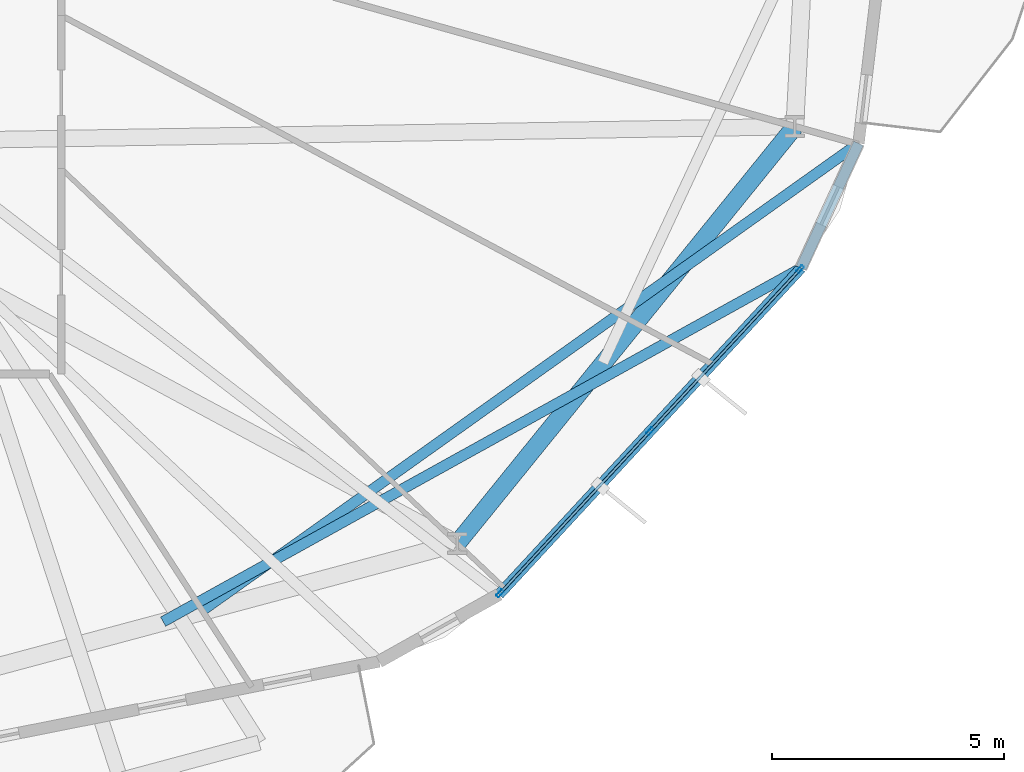
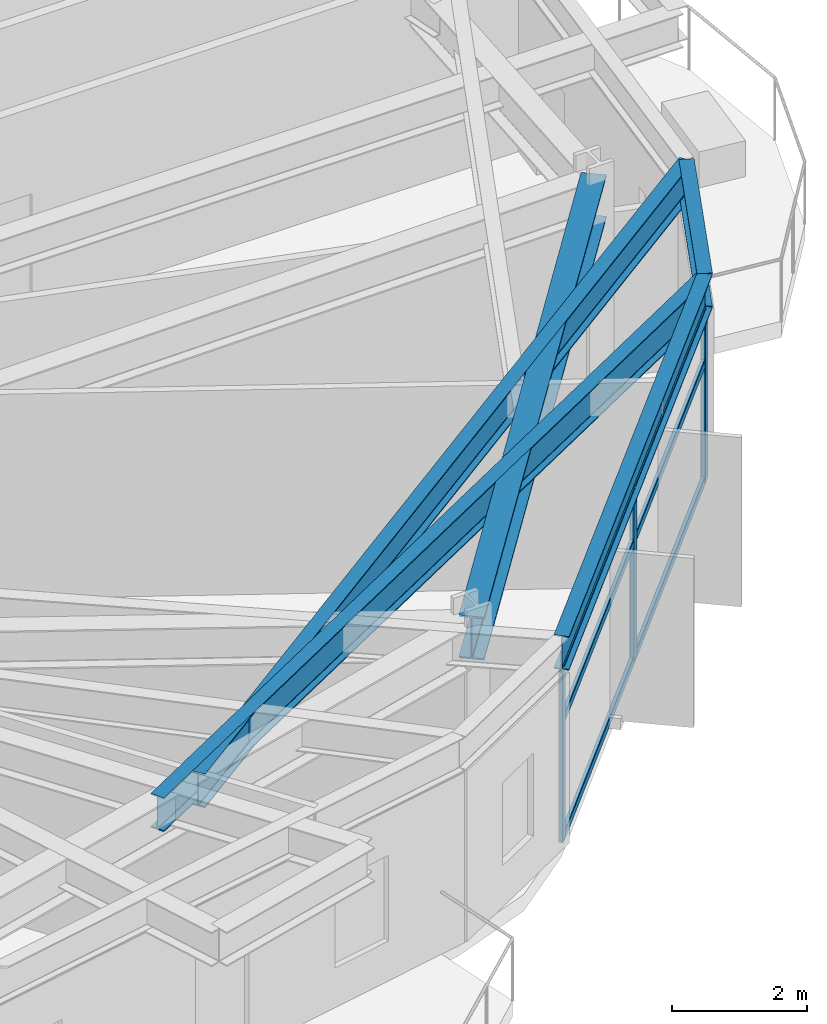
# One storey, part 9 of 22: 9 members, 5 beams, 1 element without a shape of its own.
"""IFC4 building model written with IfcOpenShell, lengths in metres."""

from ifc_helpers import new_model, si_unit, direction, frame, origin, origin_2d, place, context, subcontext, project, spatial, hollow_rectangle, i_section, extrude, material, layer, layer_set, material_profile, profile_set, type_object, element, aggregate, save


model = new_model("IFC4")

# Units and contexts
model_context = context("Model", 3, precision=1e-05, world=origin(), true_north=direction((0.0, 1.0)))
body_context = subcontext(model_context, "Body", "Model", "MODEL_VIEW")
ifc_project = project(units=[si_unit("LENGTHUNIT", "METRE"), si_unit("AREAUNIT", "SQUARE_METRE"), si_unit("VOLUMEUNIT", "CUBIC_METRE"), si_unit("PLANEANGLEUNIT", "RADIAN"), si_unit("MASSUNIT", "GRAM", prefix="KILO")], contexts=[model_context])

# Site, building, storey
site_placement = place(None, origin())
site = spatial("IfcSite", under=ifc_project, at=site_placement, CompositionType="ELEMENT")
building_placement = place(site_placement, origin())
building = spatial("IfcBuilding", under=site, at=building_placement, Name="Soratama Intermodal Tower", CompositionType="ELEMENT")
storey_placement = place(building_placement, frame((0.0, 0.0, 70.60009765625)))
storey = spatial("IfcBuildingStorey", under=building, at=storey_placement, Name="L16", CompositionType="ELEMENT", Elevation=70.60009765625)

# Beams
ifc_material_1 = material(Name="Structural steel ASTM A992 Grade 50", Category="steel")
ifc_material_profile_1 = material_profile(ifc_material_1, i_section(OverallWidth=0.382080078125, OverallDepth=0.779052734375, WebThickness=0.01806640625, FlangeThickness=0.030029296875, FilletRadius=0.01806640625, at=origin_2d()), Name="W30X191")
ifc_profile_set_1 = profile_set([ifc_material_profile_1], Name="Structural steel ASTM A992 Grade 50")
beam_type_1 = type_object("IfcBeamType", Name="BM-RING-W30X191", PredefinedType="BEAM", material=ifc_profile_set_1)
beam_1_placement = place(storey_placement, frame((55.196044921875, 9.300048828125, 3.310302734375), z_axis=(0.629334198857, 0.777134779912, 0.0), x_axis=(-0.777134779912, 0.629334198857, 0.0)))
element("IfcBeam", 1, at=beam_1_placement, inside=storey, type_object=beam_type_1, Name="BM-L16-RING-09", PredefinedType="BEAM", context=body_context, shape_type="SweptSolid", body=[
    extrude(i_section(OverallWidth=0.382080078125, OverallDepth=0.779052734375, WebThickness=0.01806640625, FlangeThickness=0.030029296875, FilletRadius=0.01806640625, at=origin_2d()), origin(), (0.0, 0.0, 1.0), 11.5693359375),
])
ifc_material_2 = material(Name="Structural steel ASTM A992 Grade 50", Category="steel")
ifc_material_profile_2 = material_profile(ifc_material_2, i_section(OverallWidth=0.22900390625, OverallDepth=0.612060546875, WebThickness=0.011962890625, FlangeThickness=0.01953125, FilletRadius=0.012939453125, at=origin_2d()), Name="W24X84")
ifc_profile_set_2 = profile_set([ifc_material_profile_2], Name="Structural steel ASTM A992 Grade 50")
beam_type_2 = type_object("IfcBeamType", Name="BM-SPN-W24X84", PredefinedType="SPANDREL", material=ifc_profile_set_2)
beam_2_placement = place(storey_placement, frame((56.097900390625, 8.197998046875, 3.393798828125), z_axis=(0.679207978235, 0.733945857882, 0.0), x_axis=(-0.733945857882, 0.679207978235, 0.0)))
element("IfcBeam", 2, at=beam_2_placement, inside=storey, type_object=beam_type_2, Name="BS-L16-F09", PredefinedType="SPANDREL", context=body_context, shape_type="SweptSolid", body=[
    extrude(i_section(OverallWidth=0.22900390625, OverallDepth=0.612060546875, WebThickness=0.011962890625, FlangeThickness=0.01953125, FilletRadius=0.012939453125, at=origin_2d()), origin(), (0.0, 0.0, 1.0), 9.58935546875),
])
beam_3_placement = place(storey_placement, frame((62.611083984375, 15.236083984375, 3.393798828125), z_axis=(0.418948585547, 0.908009957362, 0.0), x_axis=(-0.908009957362, 0.418948585547, 0.0)))
element("IfcBeam", 3, at=beam_3_placement, inside=storey, type_object=beam_type_2, Name="BS-L16-CRN09", PredefinedType="SPANDREL", context=body_context, shape_type="SweptSolid", body=[
    extrude(i_section(OverallWidth=0.22900390625, OverallDepth=0.612060546875, WebThickness=0.011962890625, FlangeThickness=0.01953125, FilletRadius=0.012939453125, at=origin_2d()), origin(), (0.0, 0.0, 1.0), 2.966796875),
])
ifc_material_3 = material(Name="Structural steel ASTM A992 Grade 50", Category="steel")
ifc_material_profile_3 = material_profile(ifc_material_3, i_section(OverallWidth=0.22900390625, OverallDepth=0.612060546875, WebThickness=0.011962890625, FlangeThickness=0.01953125, FilletRadius=0.012939453125, at=origin_2d()), Name="W24X84")
ifc_profile_set_3 = profile_set([ifc_material_profile_3], Name="Structural steel ASTM A992 Grade 50")
beam_type_3 = type_object("IfcBeamType", Name="BM-TIE-W24X84", PredefinedType="BEAM", material=ifc_profile_set_3)
beam_4_placement = place(storey_placement, frame((48.84912109375, 7.610107421875, 3.393798828125), z_axis=(0.874684488445, 0.484692733259, 0.0), x_axis=(-0.484692733259, 0.874684488445, 0.0)))
element("IfcBeam", 4, at=beam_4_placement, inside=storey, type_object=beam_type_3, Name="BM-L16-TIE1-09", PredefinedType="BEAM", context=body_context, shape_type="SweptSolid", body=[
    extrude(i_section(OverallWidth=0.22900390625, OverallDepth=0.612060546875, WebThickness=0.011962890625, FlangeThickness=0.01953125, FilletRadius=0.012939453125, at=origin_2d()), origin(), (0.0, 0.0, 1.0), 15.733642578125),
])
beam_5_placement = place(storey_placement, frame((49.672119140625, 7.833984375, 3.393798828125), z_axis=(0.814655393418, 0.579945333609, 0.0), x_axis=(-0.579945333609, 0.814655393418, 0.0)))
element("IfcBeam", 5, at=beam_5_placement, inside=storey, type_object=beam_type_3, Name="BM-L16-TIE0-10", PredefinedType="BEAM", context=body_context, shape_type="SweptSolid", body=[
    extrude(i_section(OverallWidth=0.22900390625, OverallDepth=0.612060546875, WebThickness=0.011962890625, FlangeThickness=0.01953125, FilletRadius=0.012939453125, at=origin_2d()), origin(), (0.0, 0.0, 1.0), 17.408447265625),
])

# Curtain wall, members
ifc_material_4 = material(Name="Double-glazed aluminium curtain wall", Category="aluminium")
ifc_layer = layer(ifc_material_4, 0.159912109375)
ifc_layer_set = layer_set([ifc_layer], Name="Double-glazed aluminium curtain wall")
curtain_wall_type = type_object("IfcCurtainWallType", Name="CW-SYS-2", PredefinedType="NOTDEFINED", material=ifc_layer_set)
curtain_wall_placement = place(storey_placement, origin())
curtain_wall = element("IfcCurtainWall", 6, at=curtain_wall_placement, inside=storey, type_object=curtain_wall_type, Name="L16 Faceted Curtain Wall F09", PredefinedType="NOTDEFINED")
ifc_material_5 = material(Name="Anodised aluminium AA 6063-T6", Category="aluminium")
ifc_material_profile_4 = material_profile(ifc_material_5, hollow_rectangle(XDim=0.074951171875, YDim=0.179931640625, WallThickness=0.006103515625, InnerFilletRadius=0.006103515625, OuterFilletRadius=0.011962890625, at=origin_2d()), Name="CWM180X75X6")
ifc_profile_set_4 = profile_set([ifc_material_profile_4], Name="Anodised aluminium AA 6063-T6")
member_type_1 = type_object("IfcMemberType", Name="MT-CWM-2", PredefinedType="MULLION", material=ifc_profile_set_4)
member_1_placement = place(storey_placement, frame((56.117919921875, 8.219970703125, 0.0), z_axis=(0.0, 0.0, 1.0), x_axis=(-0.733964923703, 0.679187375305, 0.0)))
member_1 = element("IfcMember", 7, at=member_1_placement, type_object=member_type_1, Name="CW-2 mullion 1", PredefinedType="MULLION", context=body_context, shape_type="SweptSolid", body=[
    extrude(hollow_rectangle(XDim=0.074951171875, YDim=0.179931640625, WallThickness=0.006103515625, InnerFilletRadius=0.006103515625, OuterFilletRadius=0.011962890625, at=origin_2d()), origin(), (0.0, 0.0, 1.0), 3.078857421875),
])
member_2_placement = place(storey_placement, frame((59.354248046875, 11.717041015625, 0.0), z_axis=(0.0, 0.0, 1.0), x_axis=(-0.733964923703, 0.679187375305, 0.0)))
member_2 = element("IfcMember", 8, at=member_2_placement, type_object=member_type_1, Name="CW-2 mullion 2", PredefinedType="MULLION", context=body_context, shape_type="SweptSolid", body=[
    extrude(hollow_rectangle(XDim=0.074951171875, YDim=0.179931640625, WallThickness=0.006103515625, InnerFilletRadius=0.006103515625, OuterFilletRadius=0.011962890625, at=origin_2d()), origin(), (0.0, 0.0, 1.0), 3.078857421875),
])
member_3_placement = place(storey_placement, frame((62.59033203125, 15.21435546875, 0.0), z_axis=(0.0, 0.0, 1.0), x_axis=(-0.733964923703, 0.679187375305, 0.0)))
member_3 = element("IfcMember", 9, at=member_3_placement, type_object=member_type_1, Name="CW-2 mullion 3", PredefinedType="MULLION", context=body_context, shape_type="SweptSolid", body=[
    extrude(hollow_rectangle(XDim=0.074951171875, YDim=0.179931640625, WallThickness=0.006103515625, InnerFilletRadius=0.006103515625, OuterFilletRadius=0.011962890625, at=origin_2d()), origin(), (0.0, 0.0, 1.0), 3.078857421875),
])
ifc_material_6 = material(Name="Anodised aluminium AA 6063-T6", Category="aluminium")
ifc_material_profile_5 = material_profile(ifc_material_6, hollow_rectangle(XDim=0.06494140625, YDim=0.14990234375, WallThickness=0.0048828125, InnerFilletRadius=0.0048828125, OuterFilletRadius=0.010009765625, at=origin_2d()), Name="CWT150X65X5")
ifc_profile_set_5 = profile_set([ifc_material_profile_5], Name="Anodised aluminium AA 6063-T6")
member_type_2 = type_object("IfcMemberType", Name="TT-CWT-1", PredefinedType="USERDEFINED", material=ifc_profile_set_5)
member_4_placement = place(storey_placement, frame((56.138427734375, 8.241943359375, 0.02978515625), z_axis=(0.679176203544, 0.733975261531, 0.0), x_axis=(-0.733975261531, 0.679176203544, 0.0)))
member_4 = element("IfcMember", 10, at=member_4_placement, type_object=member_type_2, Name="CW-2 transom 1.1", ObjectType="TRANSOM", PredefinedType="USERDEFINED", context=body_context, shape_type="SweptSolid", body=[
    extrude(hollow_rectangle(XDim=0.06494140625, YDim=0.14990234375, WallThickness=0.0048828125, InnerFilletRadius=0.0048828125, OuterFilletRadius=0.010009765625, at=origin_2d()), origin(), (0.0, 0.0, 1.0), 4.70458984375),
])
member_5_placement = place(storey_placement, frame((56.138427734375, 8.241943359375, 2.14990234375), z_axis=(0.679176203544, 0.733975261531, 0.0), x_axis=(-0.733975261531, 0.679176203544, 0.0)))
member_5 = element("IfcMember", 11, at=member_5_placement, type_object=member_type_2, Name="CW-2 transom 1.2", ObjectType="TRANSOM", PredefinedType="USERDEFINED", context=body_context, shape_type="SweptSolid", body=[
    extrude(hollow_rectangle(XDim=0.06494140625, YDim=0.14990234375, WallThickness=0.0048828125, InnerFilletRadius=0.0048828125, OuterFilletRadius=0.010009765625, at=origin_2d()), origin(), (0.0, 0.0, 1.0), 4.70458984375),
])
member_6_placement = place(storey_placement, frame((56.138427734375, 8.241943359375, 3.048828125), z_axis=(0.679176203544, 0.733975261531, 0.0), x_axis=(-0.733975261531, 0.679176203544, 0.0)))
member_6 = element("IfcMember", 12, at=member_6_placement, type_object=member_type_2, Name="CW-2 transom 1.3", ObjectType="TRANSOM", PredefinedType="USERDEFINED", context=body_context, shape_type="SweptSolid", body=[
    extrude(hollow_rectangle(XDim=0.06494140625, YDim=0.14990234375, WallThickness=0.0048828125, InnerFilletRadius=0.0048828125, OuterFilletRadius=0.010009765625, at=origin_2d()), origin(), (0.0, 0.0, 1.0), 4.70458984375),
])
member_7_placement = place(storey_placement, frame((59.37451171875, 11.7392578125, 0.02978515625), z_axis=(0.679204157872, 0.733949393303, 0.0), x_axis=(-0.733949393303, 0.679204157872, 0.0)))
member_7 = element("IfcMember", 13, at=member_7_placement, type_object=member_type_2, Name="CW-2 transom 2.1", ObjectType="TRANSOM", PredefinedType="USERDEFINED", context=body_context, shape_type="SweptSolid", body=[
    extrude(hollow_rectangle(XDim=0.06494140625, YDim=0.14990234375, WallThickness=0.0048828125, InnerFilletRadius=0.0048828125, OuterFilletRadius=0.010009765625, at=origin_2d()), origin(), (0.0, 0.0, 1.0), 4.704833984375),
])
member_8_placement = place(storey_placement, frame((59.37451171875, 11.7392578125, 2.14990234375), z_axis=(0.679204157872, 0.733949393303, 0.0), x_axis=(-0.733949393303, 0.679204157872, 0.0)))
member_8 = element("IfcMember", 14, at=member_8_placement, type_object=member_type_2, Name="CW-2 transom 2.2", ObjectType="TRANSOM", PredefinedType="USERDEFINED", context=body_context, shape_type="SweptSolid", body=[
    extrude(hollow_rectangle(XDim=0.06494140625, YDim=0.14990234375, WallThickness=0.0048828125, InnerFilletRadius=0.0048828125, OuterFilletRadius=0.010009765625, at=origin_2d()), origin(), (0.0, 0.0, 1.0), 4.704833984375),
])
member_9_placement = place(storey_placement, frame((59.37451171875, 11.7392578125, 3.048828125), z_axis=(0.679204157872, 0.733949393303, 0.0), x_axis=(-0.733949393303, 0.679204157872, 0.0)))
member_9 = element("IfcMember", 15, at=member_9_placement, type_object=member_type_2, Name="CW-2 transom 2.3", ObjectType="TRANSOM", PredefinedType="USERDEFINED", context=body_context, shape_type="SweptSolid", body=[
    extrude(hollow_rectangle(XDim=0.06494140625, YDim=0.14990234375, WallThickness=0.0048828125, InnerFilletRadius=0.0048828125, OuterFilletRadius=0.010009765625, at=origin_2d()), origin(), (0.0, 0.0, 1.0), 4.704833984375),
])
aggregate(curtain_wall, [member_1, member_2, member_3, member_4, member_5, member_6, member_7, member_8, member_9])

save(model, "model.ifc")
